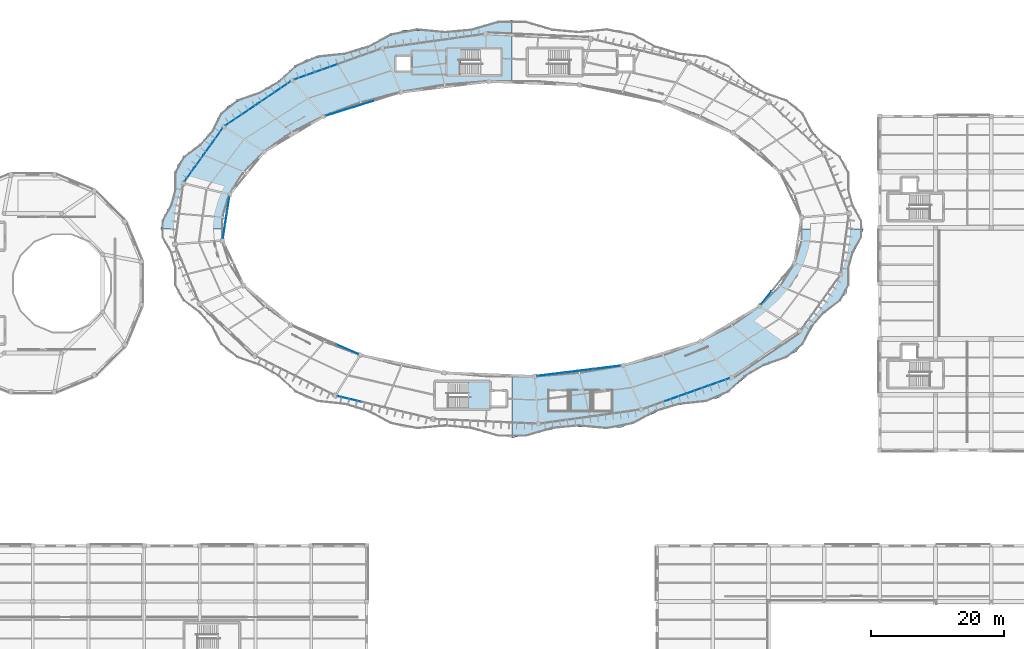
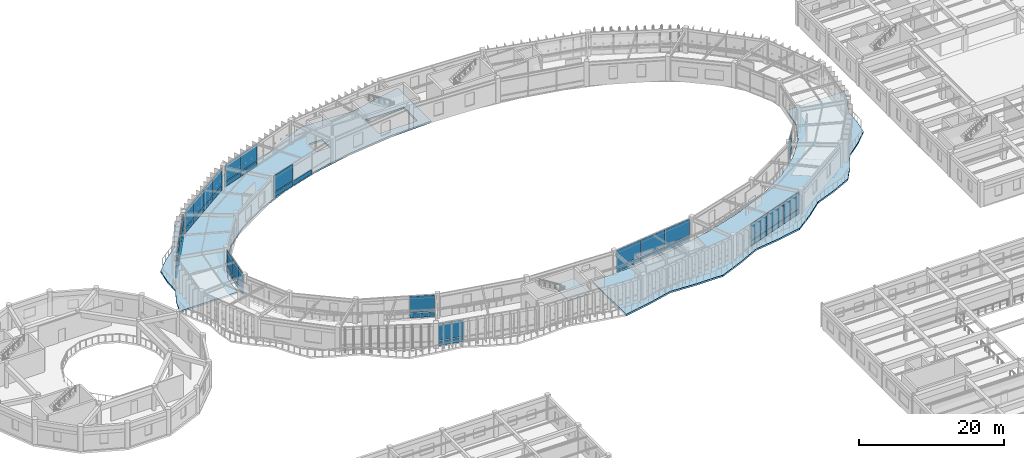
# One storey, part 105 of 138: 47 plates, 3 slabs, 11 elements without a shape of their own.
"""IFC4 building model written with IfcOpenShell, lengths in metres."""

from ifc_helpers import new_model, si_unit, direction, frame, origin, origin_2d, place, context, subcontext, project, spatial, polyline, rectangle, outline, extrude, material, layer, layer_set, type_object, element, aggregate, save


model = new_model("IFC4")

# Units and contexts
model_context = context("Model", 3, precision=1e-05, world=origin(), true_north=direction((0.0, 1.0)))
body_context = subcontext(model_context, "Body", "Model", "MODEL_VIEW")
ifc_project = project(units=[si_unit("LENGTHUNIT", "METRE"), si_unit("AREAUNIT", "SQUARE_METRE"), si_unit("VOLUMEUNIT", "CUBIC_METRE"), si_unit("PLANEANGLEUNIT", "RADIAN"), si_unit("MASSUNIT", "GRAM", prefix="KILO"), si_unit("THERMODYNAMICTEMPERATUREUNIT", "KELVIN"), si_unit("POWERUNIT", "WATT")], contexts=[model_context])

# Site, building, storey
site_placement = place(None, origin())
site = spatial("IfcSite", under=ifc_project, at=site_placement, CompositionType="ELEMENT")
building_placement = place(site_placement, origin())
building = spatial("IfcBuilding", under=site, at=building_placement, Name="Darbajah Civic Hall", CompositionType="ELEMENT")
storey_placement = place(building_placement, frame((0.0, 0.0, 9.60009765625)))
storey = spatial("IfcBuildingStorey", under=building, at=storey_placement, Name="L02", CompositionType="ELEMENT", Elevation=9.60009765625)

# Curtain wall, plates
ifc_material_1 = material(Name="Anodised Bronze Aluminium and Low-E Glazing", Category="aluminium")
curtain_wall_type_1 = type_object("IfcCurtainWallType", Name="Unitised Curtain Wall CW-44 9800x3900", PredefinedType="USERDEFINED", material=ifc_material_1)
curtain_wall_1_placement = place(storey_placement, origin())
curtain_wall_1 = element("IfcCurtainWall", 1, at=curtain_wall_1_placement, inside=storey, type_object=curtain_wall_type_1, Name="L02 unitised curtain wall CW-V1O-L02-08", ObjectType="UNITISED CURTAIN WALL", PredefinedType="USERDEFINED")
ifc_material_2 = material(Name="Low-E Solar Control Double Glazing", Category="glass")
ifc_layer_1 = layer(ifc_material_2, 0.02392578125, Name="Low-E Solar Control Double Glazing")
ifc_layer_set_1 = layer_set([ifc_layer_1], Name="Low-E Solar Control Double Glazing")
plate_type_1 = type_object("IfcPlateType", Name="Solar Double Glazing 24mm", PredefinedType="CURTAIN_PANEL", material=ifc_layer_set_1)
plate_1_placement = place(storey_placement, frame((44.698486328125, 103.93310546875, 0.10009765625), z_axis=(0.0, 0.0, 1.0), x_axis=(-0.582264874145, -0.812999149039, 0.0)))
plate_1 = element("IfcPlate", 2, at=plate_1_placement, type_object=plate_type_1, Name="CW-V1O-L02-08 glazed panel 1.1", PredefinedType="CURTAIN_PANEL", context=body_context, shape_type="SweptSolid", body=[
    extrude(rectangle(XDim=2.381103515625, YDim=0.02392578125, at=origin_2d()), origin(), (0.0, 0.0, 1.0), 0.800048828125),
])
plate_2_placement = place(storey_placement, frame((44.698486328125, 103.93310546875, 1.0), z_axis=(0.0, 0.0, 1.0), x_axis=(-0.582264874145, -0.812999149039, 0.0)))
plate_2 = element("IfcPlate", 3, at=plate_2_placement, type_object=plate_type_1, Name="CW-V1O-L02-08 glazed panel 1.2", PredefinedType="CURTAIN_PANEL", context=body_context, shape_type="SweptSolid", body=[
    extrude(rectangle(XDim=2.381103515625, YDim=0.02392578125, at=origin_2d()), origin(), (0.0, 0.0, 1.0), 2.820068359375),
])
plate_3_placement = place(storey_placement, frame((43.2744140625, 101.944580078125, 0.10009765625), z_axis=(0.0, 0.0, 1.0), x_axis=(-0.582264874145, -0.812999149039, 0.0)))
plate_3 = element("IfcPlate", 4, at=plate_3_placement, type_object=plate_type_1, Name="CW-V1O-L02-08 glazed panel 2.1", PredefinedType="CURTAIN_PANEL", context=body_context, shape_type="SweptSolid", body=[
    extrude(rectangle(XDim=2.381103515625, YDim=0.02392578125, at=origin_2d()), origin(), (0.0, 0.0, 1.0), 0.800048828125),
])
plate_4_placement = place(storey_placement, frame((43.2744140625, 101.944580078125, 1.0), z_axis=(0.0, 0.0, 1.0), x_axis=(-0.582264874145, -0.812999149039, 0.0)))
plate_4 = element("IfcPlate", 5, at=plate_4_placement, type_object=plate_type_1, Name="CW-V1O-L02-08 glazed panel 2.2", PredefinedType="CURTAIN_PANEL", context=body_context, shape_type="SweptSolid", body=[
    extrude(rectangle(XDim=2.381103515625, YDim=0.02392578125, at=origin_2d()), origin(), (0.0, 0.0, 1.0), 2.820068359375),
])
plate_5_placement = place(storey_placement, frame((41.85009765625, 99.955810546875, 0.10009765625), z_axis=(0.0, 0.0, 1.0), x_axis=(-0.582264874145, -0.812999149039, 0.0)))
plate_5 = element("IfcPlate", 6, at=plate_5_placement, type_object=plate_type_1, Name="CW-V1O-L02-08 glazed panel 3.1", PredefinedType="CURTAIN_PANEL", context=body_context, shape_type="SweptSolid", body=[
    extrude(rectangle(XDim=2.381103515625, YDim=0.02392578125, at=origin_2d()), origin(), (0.0, 0.0, 1.0), 0.800048828125),
])
plate_6_placement = place(storey_placement, frame((41.85009765625, 99.955810546875, 1.0), z_axis=(0.0, 0.0, 1.0), x_axis=(-0.582264874145, -0.812999149039, 0.0)))
plate_6 = element("IfcPlate", 7, at=plate_6_placement, type_object=plate_type_1, Name="CW-V1O-L02-08 glazed panel 3.2", PredefinedType="CURTAIN_PANEL", context=body_context, shape_type="SweptSolid", body=[
    extrude(rectangle(XDim=2.381103515625, YDim=0.02392578125, at=origin_2d()), origin(), (0.0, 0.0, 1.0), 2.820068359375),
])
plate_7_placement = place(storey_placement, frame((40.426025390625, 97.96728515625, 0.10009765625), z_axis=(0.0, 0.0, 1.0), x_axis=(-0.582264874145, -0.812999149039, 0.0)))
plate_7 = element("IfcPlate", 8, at=plate_7_placement, type_object=plate_type_1, Name="CW-V1O-L02-08 glazed panel 4.1", PredefinedType="CURTAIN_PANEL", context=body_context, shape_type="SweptSolid", body=[
    extrude(rectangle(XDim=2.381103515625, YDim=0.02392578125, at=origin_2d()), origin(), (0.0, 0.0, 1.0), 0.800048828125),
])
plate_8_placement = place(storey_placement, frame((40.426025390625, 97.96728515625, 1.0), z_axis=(0.0, 0.0, 1.0), x_axis=(-0.582264874145, -0.812999149039, 0.0)))
plate_8 = element("IfcPlate", 9, at=plate_8_placement, type_object=plate_type_1, Name="CW-V1O-L02-08 glazed panel 4.2", PredefinedType="CURTAIN_PANEL", context=body_context, shape_type="SweptSolid", body=[
    extrude(rectangle(XDim=2.381103515625, YDim=0.02392578125, at=origin_2d()), origin(), (0.0, 0.0, 1.0), 2.820068359375),
])
aggregate(curtain_wall_1, [plate_1, plate_2, plate_3, plate_4, plate_5, plate_6, plate_7, plate_8])

curtain_wall_type_2 = type_object("IfcCurtainWallType", Name="Unitised Curtain Wall CW-43 11600x3900", PredefinedType="USERDEFINED", material=ifc_material_1)
curtain_wall_2_placement = place(storey_placement, origin())
curtain_wall_2 = element("IfcCurtainWall", 10, at=curtain_wall_2_placement, inside=storey, type_object=curtain_wall_type_2, Name="L02 unitised curtain wall CW-V1I-L02-06", ObjectType="UNITISED CURTAIN WALL", PredefinedType="USERDEFINED")
ifc_layer_2 = layer(ifc_material_2, 0.028076171875, Name="Low-E Solar Control Double Glazing")
ifc_layer_set_2 = layer_set([ifc_layer_2], Name="Low-E Solar Control Double Glazing")
plate_type_2 = type_object("IfcPlateType", Name="Solar Double Glazing 28mm", PredefinedType="CURTAIN_PANEL", material=ifc_layer_set_2)
plate_9_placement = place(storey_placement, frame((66.496337890625, 108.579833984375, 0.119873046875), z_axis=(0.0, 0.0, 1.0), x_axis=(-0.954604963513, -0.297874744877, 0.0)))
plate_9 = element("IfcPlate", 11, at=plate_9_placement, type_object=plate_type_2, Name="CW-V1I-L02-06 glazed panel 2.1", PredefinedType="CURTAIN_PANEL", context=body_context, shape_type="SweptSolid", body=[
    extrude(rectangle(XDim=3.7919921875, YDim=0.028076171875, at=origin_2d()), origin(), (0.0, 0.0, 1.0), 0.77001953125),
])
plate_10_placement = place(storey_placement, frame((62.809814453125, 107.4296875, 0.119873046875), z_axis=(0.0, 0.0, 1.0), x_axis=(-0.954604963513, -0.297874744877, 0.0)))
plate_10 = element("IfcPlate", 12, at=plate_10_placement, type_object=plate_type_2, Name="CW-V1I-L02-06 glazed panel 3.1", PredefinedType="CURTAIN_PANEL", context=body_context, shape_type="SweptSolid", body=[
    extrude(rectangle(XDim=3.7919921875, YDim=0.028076171875, at=origin_2d()), origin(), (0.0, 0.0, 1.0), 0.77001953125),
])
plate_11_placement = place(storey_placement, frame((62.809814453125, 107.4296875, 1.009765625), z_axis=(0.0, 0.0, 1.0), x_axis=(-0.954604963513, -0.297874744877, 0.0)))
plate_11 = element("IfcPlate", 13, at=plate_11_placement, type_object=plate_type_2, Name="CW-V1I-L02-06 glazed panel 3.2", PredefinedType="CURTAIN_PANEL", context=body_context, shape_type="SweptSolid", body=[
    extrude(rectangle(XDim=3.7919921875, YDim=0.028076171875, at=origin_2d()), origin(), (0.0, 0.0, 1.0), 2.7900390625),
])
aggregate(curtain_wall_2, [plate_9, plate_10, plate_11])

curtain_wall_type_3 = type_object("IfcCurtainWallType", Name="Unitised Curtain Wall CW-26 11800x3900", PredefinedType="USERDEFINED", material=ifc_material_1)
curtain_wall_3_placement = place(storey_placement, origin())
curtain_wall_3 = element("IfcCurtainWall", 14, at=curtain_wall_3_placement, inside=storey, type_object=curtain_wall_type_3, Name="L02 unitised curtain wall CW-V1O-L02-07", ObjectType="UNITISED CURTAIN WALL", PredefinedType="USERDEFINED")
plate_12_placement = place(storey_placement, frame((54.464111328125, 111.206787109375, 0.119873046875), z_axis=(0.0, 0.0, 1.0), x_axis=(-0.827962472047, -0.560783509816, 0.0)))
plate_12 = element("IfcPlate", 15, at=plate_12_placement, type_object=plate_type_2, Name="CW-V1O-L02-07 glazed panel 1.1", PredefinedType="CURTAIN_PANEL", context=body_context, shape_type="SweptSolid", body=[
    extrude(rectangle(XDim=2.8828125, YDim=0.028076171875, at=origin_2d()), origin(), (0.0, 0.0, 1.0), 0.77001953125),
])
plate_13_placement = place(storey_placement, frame((54.464111328125, 111.206787109375, 1.009765625), z_axis=(0.0, 0.0, 1.0), x_axis=(-0.827962472047, -0.560783509816, 0.0)))
plate_13 = element("IfcPlate", 16, at=plate_13_placement, type_object=plate_type_2, Name="CW-V1O-L02-07 glazed panel 1.2", PredefinedType="CURTAIN_PANEL", context=body_context, shape_type="SweptSolid", body=[
    extrude(rectangle(XDim=2.8828125, YDim=0.028076171875, at=origin_2d()), origin(), (0.0, 0.0, 1.0), 2.7900390625),
])
plate_14_placement = place(storey_placement, frame((52.019287109375, 109.55078125, 0.119873046875), z_axis=(0.0, 0.0, 1.0), x_axis=(-0.827962472047, -0.560783509816, 0.0)))
plate_14 = element("IfcPlate", 17, at=plate_14_placement, type_object=plate_type_2, Name="CW-V1O-L02-07 glazed panel 2.1", PredefinedType="CURTAIN_PANEL", context=body_context, shape_type="SweptSolid", body=[
    extrude(rectangle(XDim=2.8828125, YDim=0.028076171875, at=origin_2d()), origin(), (0.0, 0.0, 1.0), 0.77001953125),
])
plate_15_placement = place(storey_placement, frame((52.019287109375, 109.55078125, 1.009765625), z_axis=(0.0, 0.0, 1.0), x_axis=(-0.827962472047, -0.560783509816, 0.0)))
plate_15 = element("IfcPlate", 18, at=plate_15_placement, type_object=plate_type_2, Name="CW-V1O-L02-07 glazed panel 2.2", PredefinedType="CURTAIN_PANEL", context=body_context, shape_type="SweptSolid", body=[
    extrude(rectangle(XDim=2.8828125, YDim=0.028076171875, at=origin_2d()), origin(), (0.0, 0.0, 1.0), 2.7900390625),
])
plate_16_placement = place(storey_placement, frame((49.57421875, 107.89501953125, 0.119873046875), z_axis=(0.0, 0.0, 1.0), x_axis=(-0.827962472047, -0.560783509816, 0.0)))
plate_16 = element("IfcPlate", 19, at=plate_16_placement, type_object=plate_type_2, Name="CW-V1O-L02-07 glazed panel 3.1", PredefinedType="CURTAIN_PANEL", context=body_context, shape_type="SweptSolid", body=[
    extrude(rectangle(XDim=2.8828125, YDim=0.028076171875, at=origin_2d()), origin(), (0.0, 0.0, 1.0), 0.77001953125),
])
plate_17_placement = place(storey_placement, frame((49.57421875, 107.89501953125, 1.009765625), z_axis=(0.0, 0.0, 1.0), x_axis=(-0.827962472047, -0.560783509816, 0.0)))
plate_17 = element("IfcPlate", 20, at=plate_17_placement, type_object=plate_type_2, Name="CW-V1O-L02-07 glazed panel 3.2", PredefinedType="CURTAIN_PANEL", context=body_context, shape_type="SweptSolid", body=[
    extrude(rectangle(XDim=2.8828125, YDim=0.028076171875, at=origin_2d()), origin(), (0.0, 0.0, 1.0), 2.7900390625),
])
plate_18_placement = place(storey_placement, frame((47.12939453125, 106.239013671875, 0.119873046875), z_axis=(0.0, 0.0, 1.0), x_axis=(-0.827962472047, -0.560783509816, 0.0)))
plate_18 = element("IfcPlate", 21, at=plate_18_placement, type_object=plate_type_2, Name="CW-V1O-L02-07 glazed panel 4.1", PredefinedType="CURTAIN_PANEL", context=body_context, shape_type="SweptSolid", body=[
    extrude(rectangle(XDim=2.8828125, YDim=0.028076171875, at=origin_2d()), origin(), (0.0, 0.0, 1.0), 0.77001953125),
])
plate_19_placement = place(storey_placement, frame((47.12939453125, 106.239013671875, 1.009765625), z_axis=(0.0, 0.0, 1.0), x_axis=(-0.827962472047, -0.560783509816, 0.0)))
plate_19 = element("IfcPlate", 22, at=plate_19_placement, type_object=plate_type_2, Name="CW-V1O-L02-07 glazed panel 4.2", PredefinedType="CURTAIN_PANEL", context=body_context, shape_type="SweptSolid", body=[
    extrude(rectangle(XDim=2.8828125, YDim=0.028076171875, at=origin_2d()), origin(), (0.0, 0.0, 1.0), 2.7900390625),
])
aggregate(curtain_wall_3, [plate_12, plate_13, plate_14, plate_15, plate_16, plate_17, plate_18, plate_19])

curtain_wall_type_4 = type_object("IfcCurtainWallType", Name="Unitised Curtain Wall CW-46 6400x3900", PredefinedType="USERDEFINED", material=ifc_material_1)
curtain_wall_4_placement = place(storey_placement, origin())
curtain_wall_4 = element("IfcCurtainWall", 23, at=curtain_wall_4_placement, inside=storey, type_object=curtain_wall_type_4, Name="L02 unitised curtain wall CW-V1I-L02-09", ObjectType="UNITISED CURTAIN WALL", PredefinedType="USERDEFINED")
plate_20_placement = place(storey_placement, frame((46.297607421875, 93.631103515625, 0.119873046875), z_axis=(0.0, 0.0, 1.0), x_axis=(-0.152813355565, -0.98825506746, 0.0)))
plate_20 = element("IfcPlate", 24, at=plate_20_placement, type_object=plate_type_2, Name="CW-V1I-L02-09 glazed panel 1.1", PredefinedType="CURTAIN_PANEL", context=body_context, shape_type="SweptSolid", body=[
    extrude(rectangle(XDim=2.05810546875, YDim=0.028076171875, at=origin_2d()), origin(), (0.0, 0.0, 1.0), 0.77001953125),
])
plate_21_placement = place(storey_placement, frame((46.297607421875, 93.631103515625, 1.009765625), z_axis=(0.0, 0.0, 1.0), x_axis=(-0.152813355565, -0.98825506746, 0.0)))
plate_21 = element("IfcPlate", 25, at=plate_21_placement, type_object=plate_type_2, Name="CW-V1I-L02-09 glazed panel 1.2", PredefinedType="CURTAIN_PANEL", context=body_context, shape_type="SweptSolid", body=[
    extrude(rectangle(XDim=2.05810546875, YDim=0.028076171875, at=origin_2d()), origin(), (0.0, 0.0, 1.0), 2.7900390625),
])
plate_22_placement = place(storey_placement, frame((45.97265625, 91.528076171875, 0.119873046875), z_axis=(0.0, 0.0, 1.0), x_axis=(-0.152813355565, -0.98825506746, 0.0)))
plate_22 = element("IfcPlate", 26, at=plate_22_placement, type_object=plate_type_2, Name="CW-V1I-L02-09 glazed panel 2.1", PredefinedType="CURTAIN_PANEL", context=body_context, shape_type="SweptSolid", body=[
    extrude(rectangle(XDim=2.05810546875, YDim=0.028076171875, at=origin_2d()), origin(), (0.0, 0.0, 1.0), 0.77001953125),
])
plate_23_placement = place(storey_placement, frame((45.97265625, 91.528076171875, 1.009765625), z_axis=(0.0, 0.0, 1.0), x_axis=(-0.152813355565, -0.98825506746, 0.0)))
plate_23 = element("IfcPlate", 27, at=plate_23_placement, type_object=plate_type_2, Name="CW-V1I-L02-09 glazed panel 2.2", PredefinedType="CURTAIN_PANEL", context=body_context, shape_type="SweptSolid", body=[
    extrude(rectangle(XDim=2.05810546875, YDim=0.028076171875, at=origin_2d()), origin(), (0.0, 0.0, 1.0), 2.7900390625),
])
plate_24_placement = place(storey_placement, frame((45.6474609375, 89.425048828125, 0.119873046875), z_axis=(0.0, 0.0, 1.0), x_axis=(-0.152813355565, -0.98825506746, 0.0)))
plate_24 = element("IfcPlate", 28, at=plate_24_placement, type_object=plate_type_2, Name="CW-V1I-L02-09 glazed panel 3.1", PredefinedType="CURTAIN_PANEL", context=body_context, shape_type="SweptSolid", body=[
    extrude(rectangle(XDim=2.05810546875, YDim=0.028076171875, at=origin_2d()), origin(), (0.0, 0.0, 1.0), 0.77001953125),
])
plate_25_placement = place(storey_placement, frame((45.6474609375, 89.425048828125, 1.009765625), z_axis=(0.0, 0.0, 1.0), x_axis=(-0.152813355565, -0.98825506746, 0.0)))
plate_25 = element("IfcPlate", 29, at=plate_25_placement, type_object=plate_type_2, Name="CW-V1I-L02-09 glazed panel 3.2", PredefinedType="CURTAIN_PANEL", context=body_context, shape_type="SweptSolid", body=[
    extrude(rectangle(XDim=2.05810546875, YDim=0.028076171875, at=origin_2d()), origin(), (0.0, 0.0, 1.0), 2.7900390625),
])
aggregate(curtain_wall_4, [plate_20, plate_21, plate_22, plate_23, plate_24, plate_25])

curtain_wall_type_5 = type_object("IfcCurtainWallType", Name="Unitised Curtain Wall CW-19 10700x3900", PredefinedType="USERDEFINED", material=ifc_material_1)
curtain_wall_5_placement = place(storey_placement, origin())
curtain_wall_5 = element("IfcCurtainWall", 30, at=curtain_wall_5_placement, inside=storey, type_object=curtain_wall_type_5, Name="L02 unitised curtain wall CW-V1I-L02-12", ObjectType="UNITISED CURTAIN WALL", PredefinedType="USERDEFINED")
plate_26_placement = place(storey_placement, frame((64.278076171875, 71.628173828125, 0.119873046875), z_axis=(0.0, 0.0, 1.0), x_axis=(0.917060074385, -0.398749068925, 0.0)))
plate_26 = element("IfcPlate", 31, at=plate_26_placement, type_object=plate_type_2, Name="CW-V1I-L02-12 glazed panel 3.1", PredefinedType="CURTAIN_PANEL", context=body_context, shape_type="SweptSolid", body=[
    extrude(rectangle(XDim=3.49951171875, YDim=0.028076171875, at=origin_2d()), origin(), (0.0, 0.0, 1.0), 0.77001953125),
])
plate_27_placement = place(storey_placement, frame((64.278076171875, 71.628173828125, 1.009765625), z_axis=(0.0, 0.0, 1.0), x_axis=(0.917060074385, -0.398749068925, 0.0)))
plate_27 = element("IfcPlate", 32, at=plate_27_placement, type_object=plate_type_2, Name="CW-V1I-L02-12 glazed panel 3.2", PredefinedType="CURTAIN_PANEL", context=body_context, shape_type="SweptSolid", body=[
    extrude(rectangle(XDim=3.49951171875, YDim=0.028076171875, at=origin_2d()), origin(), (0.0, 0.0, 1.0), 2.7900390625),
])
aggregate(curtain_wall_5, [plate_26, plate_27])

curtain_wall_type_6 = type_object("IfcCurtainWallType", Name="Unitised Curtain Wall CW-48 14500x3900", PredefinedType="USERDEFINED", material=ifc_material_1)
curtain_wall_6_placement = place(storey_placement, origin())
curtain_wall_6 = element("IfcCurtainWall", 33, at=curtain_wall_6_placement, inside=storey, type_object=curtain_wall_type_6, Name="L02 unitised curtain wall CW-V1O-L02-13", ObjectType="UNITISED CURTAIN WALL", PredefinedType="USERDEFINED")
plate_28_placement = place(storey_placement, frame((64.552001953125, 64.14404296875, 0.119873046875), z_axis=(0.0, 0.0, 1.0), x_axis=(0.972492018808, -0.232936200179, 0.0)))
plate_28 = element("IfcPlate", 34, at=plate_28_placement, type_object=plate_type_2, Name="CW-V1O-L02-13 glazed panel 1.1", PredefinedType="CURTAIN_PANEL", context=body_context, shape_type="SweptSolid", body=[
    extrude(rectangle(XDim=3.543701171875, YDim=0.028076171875, at=origin_2d()), origin(), (0.0, 0.0, 1.0), 0.77001953125),
])
plate_29_placement = place(storey_placement, frame((64.552001953125, 64.14404296875, 1.009765625), z_axis=(0.0, 0.0, 1.0), x_axis=(0.972492018808, -0.232936200179, 0.0)))
plate_29 = element("IfcPlate", 35, at=plate_29_placement, type_object=plate_type_2, Name="CW-V1O-L02-13 glazed panel 1.2", PredefinedType="CURTAIN_PANEL", context=body_context, shape_type="SweptSolid", body=[
    extrude(rectangle(XDim=3.543701171875, YDim=0.028076171875, at=origin_2d()), origin(), (0.0, 0.0, 1.0), 2.7900390625),
])
aggregate(curtain_wall_6, [plate_28, plate_29])

curtain_wall_type_7 = type_object("IfcCurtainWallType", Name="Unitised Curtain Wall CW-50 12800x3900", PredefinedType="USERDEFINED", material=ifc_material_1)
curtain_wall_7_placement = place(storey_placement, origin())
curtain_wall_7 = element("IfcCurtainWall", 36, at=curtain_wall_7_placement, inside=storey, type_object=curtain_wall_type_7, Name="L02 unitised curtain wall CW-V1I-L02-15", ObjectType="UNITISED CURTAIN WALL", PredefinedType="USERDEFINED")
plate_30_placement = place(storey_placement, frame((94.9736328125, 67.86669921875, 0.119873046875), z_axis=(0.0, 0.0, 1.0), x_axis=(0.992609826221, 0.121349630774, 0.0)))
plate_30 = element("IfcPlate", 37, at=plate_30_placement, type_object=plate_type_2, Name="CW-V1I-L02-15 glazed panel 1.1", PredefinedType="CURTAIN_PANEL", context=body_context, shape_type="SweptSolid", body=[
    extrude(rectangle(XDim=4.186767578125, YDim=0.028076171875, at=origin_2d()), origin(), (0.0, 0.0, 1.0), 0.77001953125),
])
plate_31_placement = place(storey_placement, frame((94.9736328125, 67.86669921875, 1.009765625), z_axis=(0.0, 0.0, 1.0), x_axis=(0.992609826221, 0.121349630774, 0.0)))
plate_31 = element("IfcPlate", 38, at=plate_31_placement, type_object=plate_type_2, Name="CW-V1I-L02-15 glazed panel 1.2", PredefinedType="CURTAIN_PANEL", context=body_context, shape_type="SweptSolid", body=[
    extrude(rectangle(XDim=4.186767578125, YDim=0.028076171875, at=origin_2d()), origin(), (0.0, 0.0, 1.0), 2.7900390625),
])
plate_32_placement = place(storey_placement, frame((99.198974609375, 68.383056640625, 0.119873046875), z_axis=(0.0, 0.0, 1.0), x_axis=(0.992609826221, 0.121349630774, 0.0)))
plate_32 = element("IfcPlate", 39, at=plate_32_placement, type_object=plate_type_2, Name="CW-V1I-L02-15 glazed panel 2.1", PredefinedType="CURTAIN_PANEL", context=body_context, shape_type="SweptSolid", body=[
    extrude(rectangle(XDim=4.186767578125, YDim=0.028076171875, at=origin_2d()), origin(), (0.0, 0.0, 1.0), 0.77001953125),
])
plate_33_placement = place(storey_placement, frame((99.198974609375, 68.383056640625, 1.009765625), z_axis=(0.0, 0.0, 1.0), x_axis=(0.992609826221, 0.121349630774, 0.0)))
plate_33 = element("IfcPlate", 40, at=plate_33_placement, type_object=plate_type_2, Name="CW-V1I-L02-15 glazed panel 2.2", PredefinedType="CURTAIN_PANEL", context=body_context, shape_type="SweptSolid", body=[
    extrude(rectangle(XDim=4.186767578125, YDim=0.028076171875, at=origin_2d()), origin(), (0.0, 0.0, 1.0), 2.7900390625),
])
plate_34_placement = place(storey_placement, frame((103.42431640625, 68.899658203125, 0.119873046875), z_axis=(0.0, 0.0, 1.0), x_axis=(0.992609826221, 0.121349630774, 0.0)))
plate_34 = element("IfcPlate", 41, at=plate_34_placement, type_object=plate_type_2, Name="CW-V1I-L02-15 glazed panel 3.1", PredefinedType="CURTAIN_PANEL", context=body_context, shape_type="SweptSolid", body=[
    extrude(rectangle(XDim=4.186767578125, YDim=0.028076171875, at=origin_2d()), origin(), (0.0, 0.0, 1.0), 0.77001953125),
])
plate_35_placement = place(storey_placement, frame((103.42431640625, 68.899658203125, 1.009765625), z_axis=(0.0, 0.0, 1.0), x_axis=(0.992609826221, 0.121349630774, 0.0)))
plate_35 = element("IfcPlate", 42, at=plate_35_placement, type_object=plate_type_2, Name="CW-V1I-L02-15 glazed panel 3.2", PredefinedType="CURTAIN_PANEL", context=body_context, shape_type="SweptSolid", body=[
    extrude(rectangle(XDim=4.186767578125, YDim=0.028076171875, at=origin_2d()), origin(), (0.0, 0.0, 1.0), 2.7900390625),
])
aggregate(curtain_wall_7, [plate_30, plate_31, plate_32, plate_33, plate_34, plate_35])

curtain_wall_type_8 = type_object("IfcCurtainWallType", Name="Unitised Curtain Wall CW-33 13700x3900", PredefinedType="USERDEFINED", material=ifc_material_1)
curtain_wall_8_placement = place(storey_placement, origin())
curtain_wall_8 = element("IfcCurtainWall", 43, at=curtain_wall_8_placement, inside=storey, type_object=curtain_wall_type_8, Name="L02 unitised curtain wall CW-V1O-L02-16", ObjectType="UNITISED CURTAIN WALL", PredefinedType="USERDEFINED")
plate_36_placement = place(storey_placement, frame((113.8017578125, 64.38330078125, 0.119873046875), z_axis=(0.0, 0.0, 1.0), x_axis=(0.94252491309, 0.334135882844, 0.0)))
plate_36 = element("IfcPlate", 44, at=plate_36_placement, type_object=plate_type_2, Name="CW-V1O-L02-16 glazed panel 2.1", PredefinedType="CURTAIN_PANEL", context=body_context, shape_type="SweptSolid", body=[
    extrude(rectangle(XDim=3.362548828125, YDim=0.028076171875, at=origin_2d()), origin(), (0.0, 0.0, 1.0), 0.77001953125),
])
plate_37_placement = place(storey_placement, frame((113.8017578125, 64.38330078125, 1.009765625), z_axis=(0.0, 0.0, 1.0), x_axis=(0.94252491309, 0.334135882844, 0.0)))
plate_37 = element("IfcPlate", 45, at=plate_37_placement, type_object=plate_type_2, Name="CW-V1O-L02-16 glazed panel 2.2", PredefinedType="CURTAIN_PANEL", context=body_context, shape_type="SweptSolid", body=[
    extrude(rectangle(XDim=3.362548828125, YDim=0.028076171875, at=origin_2d()), origin(), (0.0, 0.0, 1.0), 2.7900390625),
])
plate_38_placement = place(storey_placement, frame((117.037109375, 65.5302734375, 0.119873046875), z_axis=(0.0, 0.0, 1.0), x_axis=(0.94252491309, 0.334135882844, 0.0)))
plate_38 = element("IfcPlate", 46, at=plate_38_placement, type_object=plate_type_2, Name="CW-V1O-L02-16 glazed panel 3.1", PredefinedType="CURTAIN_PANEL", context=body_context, shape_type="SweptSolid", body=[
    extrude(rectangle(XDim=3.362548828125, YDim=0.028076171875, at=origin_2d()), origin(), (0.0, 0.0, 1.0), 0.77001953125),
])
plate_39_placement = place(storey_placement, frame((117.037109375, 65.5302734375, 1.009765625), z_axis=(0.0, 0.0, 1.0), x_axis=(0.94252491309, 0.334135882844, 0.0)))
plate_39 = element("IfcPlate", 47, at=plate_39_placement, type_object=plate_type_2, Name="CW-V1O-L02-16 glazed panel 3.2", PredefinedType="CURTAIN_PANEL", context=body_context, shape_type="SweptSolid", body=[
    extrude(rectangle(XDim=3.362548828125, YDim=0.028076171875, at=origin_2d()), origin(), (0.0, 0.0, 1.0), 2.7900390625),
])
plate_40_placement = place(storey_placement, frame((120.2724609375, 66.677001953125, 0.119873046875), z_axis=(0.0, 0.0, 1.0), x_axis=(0.94252491309, 0.334135882844, 0.0)))
plate_40 = element("IfcPlate", 48, at=plate_40_placement, type_object=plate_type_2, Name="CW-V1O-L02-16 glazed panel 4.1", PredefinedType="CURTAIN_PANEL", context=body_context, shape_type="SweptSolid", body=[
    extrude(rectangle(XDim=3.362548828125, YDim=0.028076171875, at=origin_2d()), origin(), (0.0, 0.0, 1.0), 0.77001953125),
])
plate_41_placement = place(storey_placement, frame((120.2724609375, 66.677001953125, 1.009765625), z_axis=(0.0, 0.0, 1.0), x_axis=(0.94252491309, 0.334135882844, 0.0)))
plate_41 = element("IfcPlate", 49, at=plate_41_placement, type_object=plate_type_2, Name="CW-V1O-L02-16 glazed panel 4.2", PredefinedType="CURTAIN_PANEL", context=body_context, shape_type="SweptSolid", body=[
    extrude(rectangle(XDim=3.362548828125, YDim=0.028076171875, at=origin_2d()), origin(), (0.0, 0.0, 1.0), 2.7900390625),
])
aggregate(curtain_wall_8, [plate_36, plate_37, plate_38, plate_39, plate_40, plate_41])

curtain_wall_type_9 = type_object("IfcCurtainWallType", Name="Unitised Curtain Wall CW-52 7700x3900", PredefinedType="USERDEFINED", material=ifc_material_1)
curtain_wall_9_placement = place(storey_placement, origin())
curtain_wall_9 = element("IfcCurtainWall", 50, at=curtain_wall_9_placement, inside=storey, type_object=curtain_wall_type_9, Name="L02 unitised curtain wall CW-V1I-L02-18", ObjectType="UNITISED CURTAIN WALL", PredefinedType="USERDEFINED")
plate_42_placement = place(storey_placement, frame((127.457275390625, 79.391845703125, 0.119873046875), z_axis=(0.0, 0.0, 1.0), x_axis=(0.63108205791, 0.775716079622, 0.0)))
plate_42 = element("IfcPlate", 51, at=plate_42_placement, type_object=plate_type_2, Name="CW-V1I-L02-18 glazed panel 1.1", PredefinedType="CURTAIN_PANEL", context=body_context, shape_type="SweptSolid", body=[
    extrude(rectangle(XDim=2.48193359375, YDim=0.028076171875, at=origin_2d()), origin(), (0.0, 0.0, 1.0), 0.77001953125),
])
plate_43_placement = place(storey_placement, frame((127.457275390625, 79.391845703125, 1.009765625), z_axis=(0.0, 0.0, 1.0), x_axis=(0.63108205791, 0.775716079622, 0.0)))
plate_43 = element("IfcPlate", 52, at=plate_43_placement, type_object=plate_type_2, Name="CW-V1I-L02-18 glazed panel 1.2", PredefinedType="CURTAIN_PANEL", context=body_context, shape_type="SweptSolid", body=[
    extrude(rectangle(XDim=2.48193359375, YDim=0.028076171875, at=origin_2d()), origin(), (0.0, 0.0, 1.0), 2.7900390625),
])
aggregate(curtain_wall_9, [plate_42, plate_43])

curtain_wall_type_10 = type_object("IfcCurtainWallType", Name="Unitised Curtain Wall CW-24 13700x3900", PredefinedType="USERDEFINED", material=ifc_material_1)
curtain_wall_10_placement = place(storey_placement, origin())
curtain_wall_10 = element("IfcCurtainWall", 53, at=curtain_wall_10_placement, inside=storey, type_object=curtain_wall_type_10, Name="L02 unitised curtain wall CW-V1O-L02-06", ObjectType="UNITISED CURTAIN WALL", PredefinedType="USERDEFINED")
ifc_layer_3 = layer(ifc_material_2, 0.031982421875, Name="Low-E Solar Control Double Glazing")
ifc_layer_set_3 = layer_set([ifc_layer_3], Name="Low-E Solar Control Double Glazing")
plate_type_3 = type_object("IfcPlateType", Name="Solar Double Glazing 32mm", PredefinedType="CURTAIN_PANEL", material=ifc_layer_set_3)
plate_44_placement = place(storey_placement, frame((61.162841796875, 114.06982421875, 0.14013671875), z_axis=(0.0, 0.0, 1.0), x_axis=(-0.94252491309, -0.334135882844, 0.0)))
plate_44 = element("IfcPlate", 54, at=plate_44_placement, type_object=plate_type_3, Name="CW-V1O-L02-06 glazed panel 3.1", PredefinedType="CURTAIN_PANEL", context=body_context, shape_type="SweptSolid", body=[
    extrude(rectangle(XDim=3.357666015625, YDim=0.031982421875, at=origin_2d()), origin(), (0.0, 0.0, 1.0), 0.739990234375),
])
plate_45_placement = place(storey_placement, frame((61.162841796875, 114.06982421875, 1.02001953125), z_axis=(0.0, 0.0, 1.0), x_axis=(-0.94252491309, -0.334135882844, 0.0)))
plate_45 = element("IfcPlate", 55, at=plate_45_placement, type_object=plate_type_3, Name="CW-V1O-L02-06 glazed panel 3.2", PredefinedType="CURTAIN_PANEL", context=body_context, shape_type="SweptSolid", body=[
    extrude(rectangle(XDim=3.357666015625, YDim=0.031982421875, at=origin_2d()), origin(), (0.0, 0.0, 1.0), 2.760009765625),
])
plate_46_placement = place(storey_placement, frame((57.927490234375, 112.923095703125, 0.14013671875), z_axis=(0.0, 0.0, 1.0), x_axis=(-0.94252491309, -0.334135882844, 0.0)))
plate_46 = element("IfcPlate", 56, at=plate_46_placement, type_object=plate_type_3, Name="CW-V1O-L02-06 glazed panel 4.1", PredefinedType="CURTAIN_PANEL", context=body_context, shape_type="SweptSolid", body=[
    extrude(rectangle(XDim=3.357666015625, YDim=0.031982421875, at=origin_2d()), origin(), (0.0, 0.0, 1.0), 0.739990234375),
])
plate_47_placement = place(storey_placement, frame((57.927490234375, 112.923095703125, 1.02001953125), z_axis=(0.0, 0.0, 1.0), x_axis=(-0.94252491309, -0.334135882844, 0.0)))
plate_47 = element("IfcPlate", 57, at=plate_47_placement, type_object=plate_type_3, Name="CW-V1O-L02-06 glazed panel 4.2", PredefinedType="CURTAIN_PANEL", context=body_context, shape_type="SweptSolid", body=[
    extrude(rectangle(XDim=3.357666015625, YDim=0.031982421875, at=origin_2d()), origin(), (0.0, 0.0, 1.0), 2.760009765625),
])
aggregate(curtain_wall_10, [plate_44, plate_45, plate_46, plate_47])

# Stair, slab
ifc_material_3 = material(Name="Concrete C45/55", Category="concrete")
stair_type = type_object("IfcStairType", Name="Half Turn Stair 1650x4200", PredefinedType="HALF_TURN_STAIR", material=ifc_material_3)
stair_placement = place(storey_placement, origin())
stair = element("IfcStair", 58, at=stair_placement, inside=storey, type_object=stair_type, Name="L02 enclosed exit stair ST03", PredefinedType="HALF_TURN_STAIR")
ifc_layer_4 = layer(ifc_material_3, 0.199951171875, Name="Concrete C45/55")
ifc_layer_set_4 = layer_set([ifc_layer_4], Name="Concrete C45/55")
slab_type_1 = type_object("IfcSlabType", Name="Stair Landing Slab 200mm", PredefinedType="LANDING", material=ifc_layer_set_4)
slab_1_placement = place(storey_placement, frame((0.0, 0.0, 1.89990234375)))
slab_1 = element("IfcSlab", 59, at=slab_1_placement, type_object=slab_type_1, Name="ST03 L02 half-landing", PredefinedType="LANDING", context=body_context, shape_type="SweptSolid", body=[
    extrude(outline(polyline([(82.43994140625, 62.60009765625), (85.800048828125, 62.60009765625), (85.800048828125, 66.800048828125), (82.43994140625, 66.800048828125), (82.43994140625, 62.60009765625)])), origin(), (0.0, 0.0, 1.0), 0.199951171875),
])
aggregate(stair, [slab_1])

# Slabs
ifc_layer_5 = layer(ifc_material_3, 0.280029296875, Name="Concrete C45/55")
ifc_layer_set_5 = layer_set([ifc_layer_5], Name="Concrete C45/55")
slab_type_2 = type_object("IfcSlabType", Name="Structural Floor Slab 280mm", PredefinedType="FLOOR", material=ifc_layer_set_5)
slab_2_placement = place(storey_placement, frame((0.0, 0.0, -0.280029296875)))
element("IfcSlab", 60, at=slab_2_placement, inside=storey, type_object=slab_type_2, Name="L02 Oval Administration Ring NW floor slab", PredefinedType="FLOOR", context=body_context, shape_type="SweptSolid", body=[
    extrude(outline(polyline([(89.10009765625, 121.322021484375), (84.9951171875, 120.52490234375), (81.025146484375, 119.547119140625), (76.885986328125, 119.768310546875), (72.71533203125, 119.779296875), (69.077880859375, 118.27392578125), (65.666015625, 116.63525390625), (61.762939453125, 116.078369140625), (57.9345703125, 115.3017578125), (55.120849609375, 113.235595703125), (52.6005859375, 111.0966796875), (49.315673828125, 109.81591796875), (46.204345703125, 108.328125), (44.489990234375, 105.9033203125), (43.10791015625, 103.473388671875), (40.7626953125, 101.59423828125), (38.673095703125, 99.540771484375), (38.2255859375, 96.994873046875), (38.117431640625, 94.511474609375), (36.94140625, 92.218017578125), (36.077880859375, 89.800048828125), (45.320068359375, 89.800048828125), (45.85888671875, 93.285400390625), (47.462646484375, 96.684814453125), (50.091796875, 99.914794921875), (53.68115234375, 102.89599609375), (58.142822265625, 105.55419921875), (63.36669921875, 107.824951171875), (69.224365234375, 109.651611328125), (75.5712890625, 110.989501953125), (82.251220703125, 111.8056640625), (89.10009765625, 112.080078125), (89.10009765625, 121.322021484375)]), holes=[polyline([(81.3798828125, 116.8798828125), (87.4599609375, 116.8798828125), (87.4599609375, 113.1201171875), (81.3798828125, 113.1201171875), (81.3798828125, 116.8798828125)]), polyline([(71.64990234375, 115.75), (73.85009765625, 115.75), (73.85009765625, 113.64990234375), (71.64990234375, 113.64990234375), (71.64990234375, 115.75)])]), origin(), (0.0, 0.0, 1.0), 0.280029296875),
])
slab_3_placement = place(storey_placement, frame((0.0, 0.0, -0.280029296875)))
element("IfcSlab", 61, at=slab_3_placement, inside=storey, type_object=slab_type_2, Name="L02 Oval Administration Ring SE floor slab", PredefinedType="FLOOR", context=body_context, shape_type="SweptSolid", body=[
    extrude(outline(polyline([(89.10009765625, 58.278076171875), (93.205078125, 59.074951171875), (97.1748046875, 60.052734375), (101.31396484375, 59.83154296875), (105.484619140625, 59.82080078125), (109.1220703125, 61.325927734375), (112.5341796875, 62.964599609375), (116.43701171875, 63.521484375), (120.265380859375, 64.298095703125), (123.0791015625, 66.3642578125), (125.599365234375, 68.50341796875), (128.884521484375, 69.783935546875), (131.99560546875, 71.271728515625), (133.710205078125, 73.696533203125), (135.092041015625, 76.126708984375), (137.4375, 78.005615234375), (139.52685546875, 80.05908203125), (139.974365234375, 82.605224609375), (140.08251953125, 85.08837890625), (141.2587890625, 87.3818359375), (142.1220703125, 89.800048828125), (132.8798828125, 89.800048828125), (132.341064453125, 86.314697265625), (130.7373046875, 82.9150390625), (128.1083984375, 79.68505859375), (124.518798828125, 76.7041015625), (120.05712890625, 74.045654296875), (114.833251953125, 71.775146484375), (108.9755859375, 69.948486328125), (102.62890625, 68.610595703125), (95.94873046875, 67.794189453125), (89.10009765625, 67.52001953125), (89.10009765625, 58.278076171875)])), origin(), (0.0, 0.0, 1.0), 0.280029296875),
])

save(model, "model.ifc")
